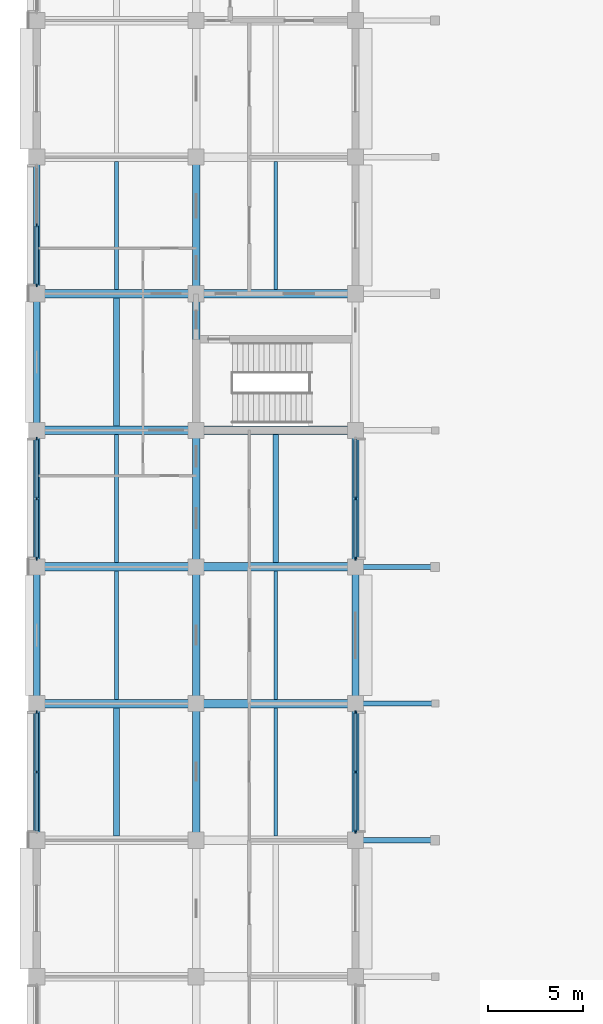
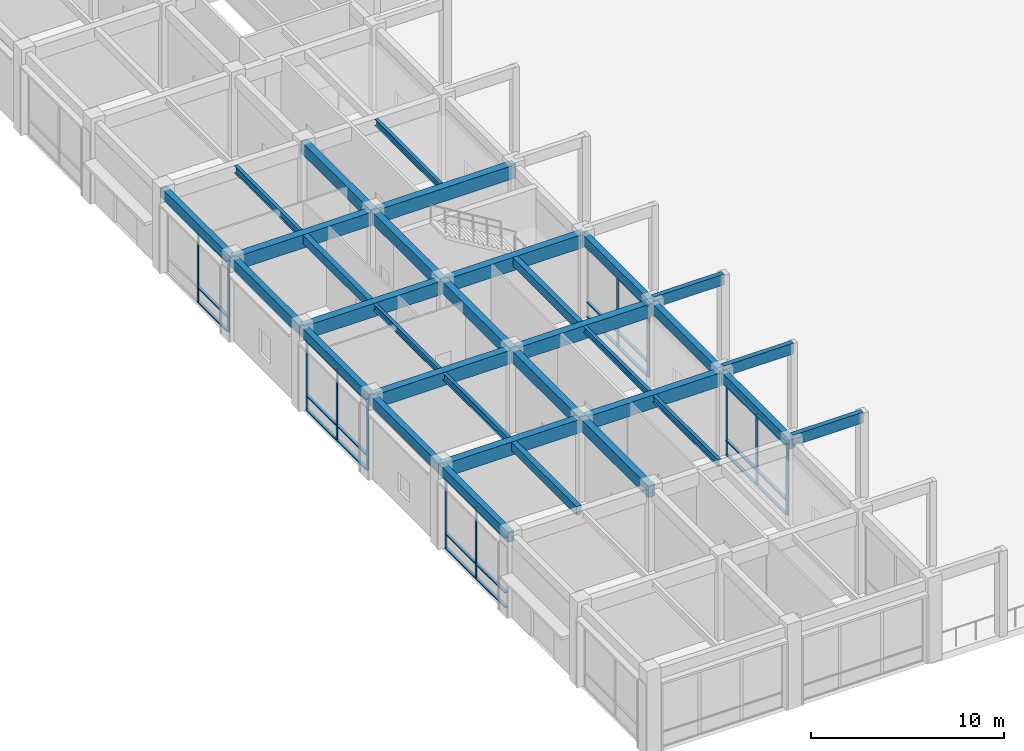
# One storey, part 9 of 73: 38 members, 33 beams, 5 elements without a shape of their own.
"""IFC4 building model written with IfcOpenShell, lengths in metres."""

from ifc_helpers import new_model, si_unit, direction, frame, origin, origin_2d, place, context, subcontext, project, spatial, rectangle, i_section, extrude, material, layer, layer_set, material_profile, profile_set, type_object, element, aggregate, save


model = new_model("IFC4")

# Units and contexts
model_context = context("Model", 3, precision=1e-05, world=origin(), true_north=direction((0.0, 1.0)))
body_context = subcontext(model_context, "Body", "Model", "MODEL_VIEW")
ifc_project = project(units=[si_unit("LENGTHUNIT", "METRE"), si_unit("AREAUNIT", "SQUARE_METRE"), si_unit("VOLUMEUNIT", "CUBIC_METRE"), si_unit("PLANEANGLEUNIT", "RADIAN"), si_unit("MASSUNIT", "GRAM", prefix="KILO")], contexts=[model_context])

# Site, building, storey
site_placement = place(None, origin())
site = spatial("IfcSite", under=ifc_project, at=site_placement, CompositionType="ELEMENT")
building_placement = place(site_placement, origin())
building = spatial("IfcBuilding", under=site, at=building_placement, Name="Chengyuan Square Courthouse", CompositionType="ELEMENT")
storey_placement = place(building_placement, origin())
storey = spatial("IfcBuildingStorey", under=building, at=storey_placement, Name="L01", CompositionType="ELEMENT", Elevation=0.0)

# Beams
ifc_material_1 = material(Name="Concrete C40", Category="concrete")
ifc_material_profile_1 = material_profile(ifc_material_1, rectangle(XDim=0.449951171875, YDim=0.85009765625, at=origin_2d()), Name="RC-BM-450x850")
ifc_profile_set_1 = profile_set([ifc_material_profile_1], Name="Concrete C40")
beam_type_1 = type_object("IfcBeamType", Name="BM-01", PredefinedType="USERDEFINED", material=ifc_profile_set_1)
beam_1_placement = place(storey_placement, frame((0.0, 21.60009765625, 4.695068359375), z_axis=(1.0, 0.0, 0.0), x_axis=(0.0, 1.0, 0.0)))
element("IfcBeam", 1, at=beam_1_placement, inside=storey, type_object=beam_type_1, Name="Girder BM-L01-1653", ObjectType="GIRDER", PredefinedType="USERDEFINED", context=body_context, shape_type="SweptSolid", body=[
    extrude(rectangle(XDim=0.449951171875, YDim=0.85009765625, at=origin_2d()), origin(), (0.0, 0.0, 1.0), 8.39990234375),
])
beam_2_placement = place(storey_placement, frame((8.39990234375, 21.60009765625, 4.695068359375), z_axis=(1.0, 0.0, 0.0), x_axis=(0.0, 1.0, 0.0)))
element("IfcBeam", 2, at=beam_2_placement, inside=storey, type_object=beam_type_1, Name="Girder BM-L01-1654", ObjectType="GIRDER", PredefinedType="USERDEFINED", context=body_context, shape_type="SweptSolid", body=[
    extrude(rectangle(XDim=0.449951171875, YDim=0.85009765625, at=origin_2d()), origin(), (0.0, 0.0, 1.0), 8.400146484375),
])
beam_3_placement = place(storey_placement, frame((0.0, 28.800048828125, 4.695068359375), z_axis=(1.0, 0.0, 0.0), x_axis=(0.0, 1.0, 0.0)))
element("IfcBeam", 3, at=beam_3_placement, inside=storey, type_object=beam_type_1, Name="Girder BM-L01-1657", ObjectType="GIRDER", PredefinedType="USERDEFINED", context=body_context, shape_type="SweptSolid", body=[
    extrude(rectangle(XDim=0.449951171875, YDim=0.85009765625, at=origin_2d()), origin(), (0.0, 0.0, 1.0), 8.39990234375),
])
beam_4_placement = place(storey_placement, frame((8.39990234375, 28.800048828125, 4.695068359375), z_axis=(1.0, 0.0, 0.0), x_axis=(0.0, 1.0, 0.0)))
element("IfcBeam", 4, at=beam_4_placement, inside=storey, type_object=beam_type_1, Name="Girder BM-L01-1658", ObjectType="GIRDER", PredefinedType="USERDEFINED", context=body_context, shape_type="SweptSolid", body=[
    extrude(rectangle(XDim=0.449951171875, YDim=0.85009765625, at=origin_2d()), origin(), (0.0, 0.0, 1.0), 8.400146484375),
])
beam_5_placement = place(storey_placement, frame((0.0, 36.0, 4.695068359375), z_axis=(1.0, 0.0, 0.0), x_axis=(0.0, 1.0, 0.0)))
element("IfcBeam", 5, at=beam_5_placement, inside=storey, type_object=beam_type_1, Name="Girder BM-L01-1661", ObjectType="GIRDER", PredefinedType="USERDEFINED", context=body_context, shape_type="SweptSolid", body=[
    extrude(rectangle(XDim=0.449951171875, YDim=0.85009765625, at=origin_2d()), origin(), (0.0, 0.0, 1.0), 8.39990234375),
])
beam_6_placement = place(storey_placement, frame((8.39990234375, 36.0, 4.695068359375), z_axis=(1.0, 0.0, 0.0), x_axis=(0.0, 1.0, 0.0)))
element("IfcBeam", 6, at=beam_6_placement, inside=storey, type_object=beam_type_1, Name="Girder BM-L01-1662", ObjectType="GIRDER", PredefinedType="USERDEFINED", context=body_context, shape_type="SweptSolid", body=[
    extrude(rectangle(XDim=0.449951171875, YDim=0.85009765625, at=origin_2d()), origin(), (0.0, 0.0, 1.0), 8.400146484375),
])
beam_7_placement = place(storey_placement, frame((0.0, 43.199951171875, 4.695068359375), z_axis=(1.0, 0.0, 0.0), x_axis=(0.0, 1.0, 0.0)))
element("IfcBeam", 7, at=beam_7_placement, inside=storey, type_object=beam_type_1, Name="Girder BM-L01-1665", ObjectType="GIRDER", PredefinedType="USERDEFINED", context=body_context, shape_type="SweptSolid", body=[
    extrude(rectangle(XDim=0.449951171875, YDim=0.85009765625, at=origin_2d()), origin(), (0.0, 0.0, 1.0), 8.39990234375),
])
beam_8_placement = place(storey_placement, frame((8.39990234375, 43.199951171875, 4.695068359375), z_axis=(1.0, 0.0, 0.0), x_axis=(0.0, 1.0, 0.0)))
element("IfcBeam", 8, at=beam_8_placement, inside=storey, type_object=beam_type_1, Name="Girder BM-L01-1666", ObjectType="GIRDER", PredefinedType="USERDEFINED", context=body_context, shape_type="SweptSolid", body=[
    extrude(rectangle(XDim=0.449951171875, YDim=0.85009765625, at=origin_2d()), origin(), (0.0, 0.0, 1.0), 8.400146484375),
])
ifc_material_profile_2 = material_profile(ifc_material_1, rectangle(XDim=0.39990234375, YDim=0.75, at=origin_2d()), Name="RC-BM-400x750")
ifc_profile_set_2 = profile_set([ifc_material_profile_2], Name="Concrete C40")
beam_type_2 = type_object("IfcBeamType", Name="BM-02", PredefinedType="USERDEFINED", material=ifc_profile_set_2)
beam_9_placement = place(storey_placement, frame((8.39990234375, 14.39990234375, 4.7451171875), z_axis=(0.0, 1.0, 0.0), x_axis=(-1.0, 0.0, 0.0)))
element("IfcBeam", 9, at=beam_9_placement, inside=storey, type_object=beam_type_2, Name="Girder BM-L01-1814", ObjectType="GIRDER", PredefinedType="USERDEFINED", context=body_context, shape_type="SweptSolid", body=[
    extrude(rectangle(XDim=0.39990234375, YDim=0.75, at=origin_2d()), origin(), (0.0, 0.0, 1.0), 7.2001953125),
])
for number, where, z_axis, x_axis, name in (
    (10, (8.39990234375, 21.60009765625, 4.7451171875), (0.0, 1.0, 0.0), (-1.0, 0.0, 0.0), "Girder BM-L01-1815"),
    (11, (8.39990234375, 28.800048828125, 4.7451171875), (0.0, 1.0, 0.0), (-1.0, 0.0, 0.0), "Girder BM-L01-1816"),
    (12, (8.39990234375, 36.0, 4.7451171875), (0.0, 1.0, 0.0), (-1.0, 0.0, 0.0), "Girder BM-L01-1817"),
    (13, (8.39990234375, 43.199951171875, 4.7451171875), (0.0, 1.0, 0.0), (-1.0, 0.0, 0.0), "Girder BM-L01-1818"),
):
    element("IfcBeam", number, at=place(storey_placement, frame(where, z_axis=z_axis, x_axis=x_axis)), inside=storey, type_object=beam_type_2, Name=name, ObjectType="GIRDER", PredefinedType="USERDEFINED", context=body_context, shape_type="SweptSolid", body=[
        extrude(rectangle(XDim=0.39990234375, YDim=0.75, at=origin_2d()), origin(), (0.0, 0.0, 1.0), 7.199951171875),
    ])
ifc_material_profile_3 = material_profile(ifc_material_1, rectangle(XDim=0.35009765625, YDim=0.64990234375, at=origin_2d()), Name="RC-BM-350x650")
ifc_profile_set_3 = profile_set([ifc_material_profile_3], Name="Concrete C40")
beam_type_3 = type_object("IfcBeamType", Name="BM-03", PredefinedType="SPANDREL", material=ifc_profile_set_3)
beam_10_placement = place(storey_placement, frame((0.0, 14.39990234375, 4.794921875), z_axis=(0.0, 1.0, 0.0), x_axis=(-1.0, 0.0, 0.0)))
element("IfcBeam", 14, at=beam_10_placement, inside=storey, type_object=beam_type_3, Name="Girder BM-L01-1799", PredefinedType="SPANDREL", context=body_context, shape_type="SweptSolid", body=[
    extrude(rectangle(XDim=0.35009765625, YDim=0.64990234375, at=origin_2d()), origin(), (0.0, 0.0, 1.0), 7.2001953125),
])
for number, where, z_axis, x_axis, name in (
    (15, (0.0, 21.60009765625, 4.794921875), (0.0, 1.0, 0.0), (-1.0, 0.0, 0.0), "Girder BM-L01-1800"),
    (16, (0.0, 28.800048828125, 4.794921875), (0.0, 1.0, 0.0), (-1.0, 0.0, 0.0), "Girder BM-L01-1801"),
    (17, (0.0, 36.0, 4.794921875), (0.0, 1.0, 0.0), (-1.0, 0.0, 0.0), "Girder BM-L01-1802"),
    (18, (0.0, 43.199951171875, 4.794921875), (0.0, 1.0, 0.0), (-1.0, 0.0, 0.0), "Girder BM-L01-1803"),
):
    element("IfcBeam", number, at=place(storey_placement, frame(where, z_axis=z_axis, x_axis=x_axis)), inside=storey, type_object=beam_type_3, Name=name, PredefinedType="SPANDREL", context=body_context, shape_type="SweptSolid", body=[
        extrude(rectangle(XDim=0.35009765625, YDim=0.64990234375, at=origin_2d()), origin(), (0.0, 0.0, 1.0), 7.199951171875),
    ])
beam_11_placement = place(storey_placement, frame((16.800048828125, 14.39990234375, 4.794921875), z_axis=(0.0, 1.0, 0.0), x_axis=(-1.0, 0.0, 0.0)))
element("IfcBeam", 19, at=beam_11_placement, inside=storey, type_object=beam_type_3, Name="Girder BM-L01-1829", PredefinedType="SPANDREL", context=body_context, shape_type="SweptSolid", body=[
    extrude(rectangle(XDim=0.35009765625, YDim=0.64990234375, at=origin_2d()), origin(), (0.0, 0.0, 1.0), 7.2001953125),
])
for number, where, z_axis, x_axis, name in (
    (20, (16.800048828125, 21.60009765625, 4.794921875), (0.0, 1.0, 0.0), (-1.0, 0.0, 0.0), "Girder BM-L01-1830"),
    (21, (16.800048828125, 28.800048828125, 4.794921875), (0.0, 1.0, 0.0), (-1.0, 0.0, 0.0), "Girder BM-L01-1831"),
):
    element("IfcBeam", number, at=place(storey_placement, frame(where, z_axis=z_axis, x_axis=x_axis)), inside=storey, type_object=beam_type_3, Name=name, PredefinedType="SPANDREL", context=body_context, shape_type="SweptSolid", body=[
        extrude(rectangle(XDim=0.35009765625, YDim=0.64990234375, at=origin_2d()), origin(), (0.0, 0.0, 1.0), 7.199951171875),
    ])
ifc_material_profile_4 = material_profile(ifc_material_1, rectangle(XDim=0.300048828125, YDim=0.550048828125, at=origin_2d()), Name="RC-BM-300x550")
ifc_profile_set_4 = profile_set([ifc_material_profile_4], Name="Concrete C40")
beam_type_4 = type_object("IfcBeamType", Name="BM-04", PredefinedType="BEAM", material=ifc_profile_set_4)
for number, where, z_axis, x_axis, name in (
    (22, (4.199951171875, 14.625, 4.844970703125), (0.0, 1.0, 0.0), (-1.0, 0.0, 0.0), "Secondary Floor Beam SBM-L01-1959"),
    (23, (4.199951171875, 36.22509765625, 4.844970703125), (0.0, 1.0, 0.0), (-1.0, 0.0, 0.0), "Secondary Floor Beam SBM-L01-1962"),
    (24, (12.60009765625, 29.02490234375, 4.844970703125), (0.0, 1.0, 0.0), (-1.0, 0.0, 0.0), "Secondary Floor Beam SBM-L01-1976"),
):
    element("IfcBeam", number, at=place(storey_placement, frame(where, z_axis=z_axis, x_axis=x_axis)), inside=storey, type_object=beam_type_4, Name=name, PredefinedType="BEAM", context=body_context, shape_type="SweptSolid", body=[
        extrude(rectangle(XDim=0.300048828125, YDim=0.550048828125, at=origin_2d()), origin(), (0.0, 0.0, 1.0), 6.75),
    ])
ifc_material_2 = material(Name="Steel Q355B", Category="steel")
ifc_material_profile_5 = material_profile(ifc_material_2, i_section(OverallWidth=0.199951171875, OverallDepth=0.449951171875, WebThickness=0.009033203125, FlangeThickness=0.013916015625, at=origin_2d()), Name="HN 450x200x9x14")
ifc_profile_set_5 = profile_set([ifc_material_profile_5], Name="Steel Q355B")
beam_type_5 = type_object("IfcBeamType", Name="BM-06", PredefinedType="BEAM", material=ifc_profile_set_5)
for number, where, z_axis, x_axis, name in (
    (25, (4.199951171875, 21.824951171875, 4.89501953125), (0.0, 1.0, 0.0), (-1.0, 0.0, 0.0), "Secondary Floor Beam SBM-L01-1960"),
    (26, (4.199951171875, 43.425048828125, 4.89501953125), (0.0, 1.0, 0.0), (-1.0, 0.0, 0.0), "Secondary Floor Beam SBM-L01-1963"),
    (27, (12.60009765625, 14.625, 4.89501953125), (0.0, 1.0, 0.0), (-1.0, 0.0, 0.0), "Secondary Floor Beam SBM-L01-1974"),
):
    element("IfcBeam", number, at=place(storey_placement, frame(where, z_axis=z_axis, x_axis=x_axis)), inside=storey, type_object=beam_type_5, Name=name, PredefinedType="BEAM", context=body_context, shape_type="SweptSolid", body=[
        extrude(i_section(OverallWidth=0.199951171875, OverallDepth=0.449951171875, WebThickness=0.009033203125, FlangeThickness=0.013916015625, at=origin_2d()), origin(), (0.0, 0.0, 1.0), 6.75),
    ])
ifc_material_profile_6 = material_profile(ifc_material_2, i_section(OverallWidth=0.199951171875, OverallDepth=0.39990234375, WebThickness=0.008056640625, FlangeThickness=0.012939453125, at=origin_2d()), Name="HN 400x200x8x13")
ifc_profile_set_6 = profile_set([ifc_material_profile_6], Name="Steel Q355B")
beam_type_6 = type_object("IfcBeamType", Name="BM-07", PredefinedType="BEAM", material=ifc_profile_set_6)
for number, where, z_axis, x_axis, name in (
    (28, (4.199951171875, 29.02490234375, 4.919921875), (0.0, 1.0, 0.0), (-1.0, 0.0, 0.0), "Secondary Floor Beam SBM-L01-1961"),
    (29, (12.60009765625, 21.824951171875, 4.919921875), (0.0, 1.0, 0.0), (-1.0, 0.0, 0.0), "Secondary Floor Beam SBM-L01-1975"),
    (30, (12.60009765625, 43.425048828125, 4.919921875), (0.0, 1.0, 0.0), (-1.0, 0.0, 0.0), "Secondary Floor Beam SBM-L01-1977"),
):
    element("IfcBeam", number, at=place(storey_placement, frame(where, z_axis=z_axis, x_axis=x_axis)), inside=storey, type_object=beam_type_6, Name=name, PredefinedType="BEAM", context=body_context, shape_type="SweptSolid", body=[
        extrude(i_section(OverallWidth=0.199951171875, OverallDepth=0.39990234375, WebThickness=0.008056640625, FlangeThickness=0.012939453125, at=origin_2d()), origin(), (0.0, 0.0, 1.0), 6.75),
    ])

# Curtain wall, members
ifc_material_3 = material(Name="Unitised Aluminium and Triple Low-E Glass", Category="aluminium")
ifc_layer = layer(ifc_material_3, 0.179931640625)
ifc_layer_set = layer_set([ifc_layer], Name="Unitised Aluminium and Triple Low-E Glass")
curtain_wall_type = type_object("IfcCurtainWallType", Name="CW-14", PredefinedType="USERDEFINED", material=ifc_layer_set)
curtain_wall_1_placement = place(storey_placement, origin())
curtain_wall_1 = element("IfcCurtainWall", 31, at=curtain_wall_1_placement, inside=storey, type_object=curtain_wall_type, Name="Unitised Curtain Wall CW-L01-003", ObjectType="UNITISED CURTAIN WALL", PredefinedType="USERDEFINED")
ifc_material_4 = material(Name="Aluminium 6063-T6 Frame", Category="aluminium")
ifc_material_profile_7 = material_profile(ifc_material_4, rectangle(XDim=0.06494140625, YDim=0.179931640625, at=origin_2d()), Name="CW-MUL-65x180")
ifc_profile_set_7 = profile_set([ifc_material_profile_7], Name="Aluminium 6063-T6 Frame")
member_type_1 = type_object("IfcMemberType", Name="CWM-02", PredefinedType="MULLION", material=ifc_profile_set_7)
member_1_placement = place(storey_placement, frame((0.0, 18.0, 0.0), z_axis=(0.0, 0.0, 1.0), x_axis=(-1.0, 0.0, 0.0)))
member_1 = element("IfcMember", 32, at=member_1_placement, type_object=member_type_1, Name="CW-14 mullion 2", PredefinedType="MULLION", context=body_context, shape_type="SweptSolid", body=[
    extrude(rectangle(XDim=0.06494140625, YDim=0.179931640625, at=origin_2d()), origin(), (0.0, 0.0, 1.0), 4.469970703125),
])
member_2_placement = place(storey_placement, frame((0.0, 21.142578125, 0.0), z_axis=(0.0, 0.0, 1.0), x_axis=(-1.0, 0.0, 0.0)))
member_2 = element("IfcMember", 33, at=member_2_placement, type_object=member_type_1, Name="CW-14 mullion 3", PredefinedType="MULLION", context=body_context, shape_type="SweptSolid", body=[
    extrude(rectangle(XDim=0.06494140625, YDim=0.179931640625, at=origin_2d()), origin(), (0.0, 0.0, 1.0), 4.469970703125),
])

curtain_wall_2_placement = place(storey_placement, origin())
curtain_wall_2 = element("IfcCurtainWall", 34, at=curtain_wall_2_placement, inside=storey, type_object=curtain_wall_type, Name="Unitised Curtain Wall CW-L01-004", ObjectType="UNITISED CURTAIN WALL", PredefinedType="USERDEFINED")
member_3_placement = place(storey_placement, frame((0.0, 29.257568359375, 0.0), z_axis=(0.0, 0.0, 1.0), x_axis=(-1.0, 0.0, 0.0)))
member_3 = element("IfcMember", 35, at=member_3_placement, type_object=member_type_1, Name="CW-14 mullion 1", PredefinedType="MULLION", context=body_context, shape_type="SweptSolid", body=[
    extrude(rectangle(XDim=0.06494140625, YDim=0.179931640625, at=origin_2d()), origin(), (0.0, 0.0, 1.0), 4.469970703125),
])
member_4_placement = place(storey_placement, frame((0.0, 32.39990234375, 0.0), z_axis=(0.0, 0.0, 1.0), x_axis=(-1.0, 0.0, 0.0)))
member_4 = element("IfcMember", 36, at=member_4_placement, type_object=member_type_1, Name="CW-14 mullion 2", PredefinedType="MULLION", context=body_context, shape_type="SweptSolid", body=[
    extrude(rectangle(XDim=0.06494140625, YDim=0.179931640625, at=origin_2d()), origin(), (0.0, 0.0, 1.0), 4.469970703125),
])
member_5_placement = place(storey_placement, frame((0.0, 35.54248046875, 0.0), z_axis=(0.0, 0.0, 1.0), x_axis=(-1.0, 0.0, 0.0)))
member_5 = element("IfcMember", 37, at=member_5_placement, type_object=member_type_1, Name="CW-14 mullion 3", PredefinedType="MULLION", context=body_context, shape_type="SweptSolid", body=[
    extrude(rectangle(XDim=0.06494140625, YDim=0.179931640625, at=origin_2d()), origin(), (0.0, 0.0, 1.0), 4.469970703125),
])

curtain_wall_3_placement = place(storey_placement, origin())
curtain_wall_3 = element("IfcCurtainWall", 38, at=curtain_wall_3_placement, inside=storey, type_object=curtain_wall_type, Name="Unitised Curtain Wall CW-L01-005", ObjectType="UNITISED CURTAIN WALL", PredefinedType="USERDEFINED")
member_6_placement = place(storey_placement, frame((0.0, 43.657470703125, 0.0), z_axis=(0.0, 0.0, 1.0), x_axis=(-1.0, 0.0, 0.0)))
member_6 = element("IfcMember", 39, at=member_6_placement, type_object=member_type_1, Name="CW-14 mullion 1", PredefinedType="MULLION", context=body_context, shape_type="SweptSolid", body=[
    extrude(rectangle(XDim=0.06494140625, YDim=0.179931640625, at=origin_2d()), origin(), (0.0, 0.0, 1.0), 4.469970703125),
])
member_7_placement = place(storey_placement, frame((0.0, 46.800048828125, 0.0), z_axis=(0.0, 0.0, 1.0), x_axis=(-1.0, 0.0, 0.0)))
member_7 = element("IfcMember", 40, at=member_7_placement, type_object=member_type_1, Name="CW-14 mullion 2", PredefinedType="MULLION", context=body_context, shape_type="SweptSolid", body=[
    extrude(rectangle(XDim=0.06494140625, YDim=0.179931640625, at=origin_2d()), origin(), (0.0, 0.0, 1.0), 4.469970703125),
])

curtain_wall_4_placement = place(storey_placement, origin())
curtain_wall_4 = element("IfcCurtainWall", 41, at=curtain_wall_4_placement, inside=storey, type_object=curtain_wall_type, Name="Unitised Curtain Wall CW-L01-012", ObjectType="UNITISED CURTAIN WALL", PredefinedType="USERDEFINED")
member_8_placement = place(storey_placement, frame((16.800048828125, 14.857421875, 0.0), z_axis=(0.0, 0.0, 1.0), x_axis=(-1.0, 0.0, 0.0)))
member_8 = element("IfcMember", 42, at=member_8_placement, type_object=member_type_1, Name="CW-14 mullion 1", PredefinedType="MULLION", context=body_context, shape_type="SweptSolid", body=[
    extrude(rectangle(XDim=0.06494140625, YDim=0.179931640625, at=origin_2d()), origin(), (0.0, 0.0, 1.0), 4.469970703125),
])
member_9_placement = place(storey_placement, frame((16.800048828125, 18.0, 0.0), z_axis=(0.0, 0.0, 1.0), x_axis=(-1.0, 0.0, 0.0)))
member_9 = element("IfcMember", 43, at=member_9_placement, type_object=member_type_1, Name="CW-14 mullion 2", PredefinedType="MULLION", context=body_context, shape_type="SweptSolid", body=[
    extrude(rectangle(XDim=0.06494140625, YDim=0.179931640625, at=origin_2d()), origin(), (0.0, 0.0, 1.0), 4.469970703125),
])
member_10_placement = place(storey_placement, frame((16.800048828125, 21.142578125, 0.0), z_axis=(0.0, 0.0, 1.0), x_axis=(-1.0, 0.0, 0.0)))
member_10 = element("IfcMember", 44, at=member_10_placement, type_object=member_type_1, Name="CW-14 mullion 3", PredefinedType="MULLION", context=body_context, shape_type="SweptSolid", body=[
    extrude(rectangle(XDim=0.06494140625, YDim=0.179931640625, at=origin_2d()), origin(), (0.0, 0.0, 1.0), 4.469970703125),
])

curtain_wall_5_placement = place(storey_placement, origin())
curtain_wall_5 = element("IfcCurtainWall", 45, at=curtain_wall_5_placement, inside=storey, type_object=curtain_wall_type, Name="Unitised Curtain Wall CW-L01-013", ObjectType="UNITISED CURTAIN WALL", PredefinedType="USERDEFINED")
member_11_placement = place(storey_placement, frame((16.800048828125, 29.257568359375, 0.0), z_axis=(0.0, 0.0, 1.0), x_axis=(-1.0, 0.0, 0.0)))
member_11 = element("IfcMember", 46, at=member_11_placement, type_object=member_type_1, Name="CW-14 mullion 1", PredefinedType="MULLION", context=body_context, shape_type="SweptSolid", body=[
    extrude(rectangle(XDim=0.06494140625, YDim=0.179931640625, at=origin_2d()), origin(), (0.0, 0.0, 1.0), 4.469970703125),
])
member_12_placement = place(storey_placement, frame((16.800048828125, 32.39990234375, 0.0), z_axis=(0.0, 0.0, 1.0), x_axis=(-1.0, 0.0, 0.0)))
member_12 = element("IfcMember", 47, at=member_12_placement, type_object=member_type_1, Name="CW-14 mullion 2", PredefinedType="MULLION", context=body_context, shape_type="SweptSolid", body=[
    extrude(rectangle(XDim=0.06494140625, YDim=0.179931640625, at=origin_2d()), origin(), (0.0, 0.0, 1.0), 4.469970703125),
])

# Member
ifc_material_profile_8 = material_profile(ifc_material_4, rectangle(XDim=0.179931640625, YDim=0.06494140625, at=origin_2d()), Name="CW-TRN-65x140")
ifc_profile_set_8 = profile_set([ifc_material_profile_8], Name="Aluminium 6063-T6 Frame")
member_type_2 = type_object("IfcMemberType", Name="CWT-02", PredefinedType="USERDEFINED", material=ifc_profile_set_8)
member_13_placement = place(storey_placement, frame((0.0, 14.889892578125, 0.032470703125), z_axis=(0.0, 1.0, 0.0), x_axis=(-1.0, 0.0, 0.0)))
member_13 = element("IfcMember", 48, at=member_13_placement, type_object=member_type_2, Name="CW-14 transom 1.1", ObjectType="TRANSOM", PredefinedType="USERDEFINED", context=body_context, shape_type="SweptSolid", body=[
    extrude(rectangle(XDim=0.179931640625, YDim=0.06494140625, at=origin_2d()), origin(), (0.0, 0.0, 1.0), 3.07763671875),
])

member_14_placement = place(storey_placement, frame((0.0, 14.889892578125, 0.949951171875), z_axis=(0.0, 1.0, 0.0), x_axis=(-1.0, 0.0, 0.0)))
member_14 = element("IfcMember", 49, at=member_14_placement, type_object=member_type_2, Name="CW-14 transom 1.2", ObjectType="TRANSOM", PredefinedType="USERDEFINED", context=body_context, shape_type="SweptSolid", body=[
    extrude(rectangle(XDim=0.179931640625, YDim=0.06494140625, at=origin_2d()), origin(), (0.0, 0.0, 1.0), 3.07763671875),
])

member_15_placement = place(storey_placement, frame((0.0, 14.889892578125, 4.4375), z_axis=(0.0, 1.0, 0.0), x_axis=(-1.0, 0.0, 0.0)))
member_15 = element("IfcMember", 50, at=member_15_placement, type_object=member_type_2, Name="CW-14 transom 1.3", ObjectType="TRANSOM", PredefinedType="USERDEFINED", context=body_context, shape_type="SweptSolid", body=[
    extrude(rectangle(XDim=0.179931640625, YDim=0.06494140625, at=origin_2d()), origin(), (0.0, 0.0, 1.0), 3.07763671875),
])

member_16_placement = place(storey_placement, frame((0.0, 18.032470703125, 0.032470703125), z_axis=(0.0, 1.0, 0.0), x_axis=(-1.0, 0.0, 0.0)))
member_16 = element("IfcMember", 51, at=member_16_placement, type_object=member_type_2, Name="CW-14 transom 2.1", ObjectType="TRANSOM", PredefinedType="USERDEFINED", context=body_context, shape_type="SweptSolid", body=[
    extrude(rectangle(XDim=0.179931640625, YDim=0.06494140625, at=origin_2d()), origin(), (0.0, 0.0, 1.0), 3.07763671875),
])

member_17_placement = place(storey_placement, frame((0.0, 18.032470703125, 0.949951171875), z_axis=(0.0, 1.0, 0.0), x_axis=(-1.0, 0.0, 0.0)))
member_17 = element("IfcMember", 52, at=member_17_placement, type_object=member_type_2, Name="CW-14 transom 2.2", ObjectType="TRANSOM", PredefinedType="USERDEFINED", context=body_context, shape_type="SweptSolid", body=[
    extrude(rectangle(XDim=0.179931640625, YDim=0.06494140625, at=origin_2d()), origin(), (0.0, 0.0, 1.0), 3.07763671875),
])

member_18_placement = place(storey_placement, frame((0.0, 18.032470703125, 4.4375), z_axis=(0.0, 1.0, 0.0), x_axis=(-1.0, 0.0, 0.0)))
member_18 = element("IfcMember", 53, at=member_18_placement, type_object=member_type_2, Name="CW-14 transom 2.3", ObjectType="TRANSOM", PredefinedType="USERDEFINED", context=body_context, shape_type="SweptSolid", body=[
    extrude(rectangle(XDim=0.179931640625, YDim=0.06494140625, at=origin_2d()), origin(), (0.0, 0.0, 1.0), 3.07763671875),
])

aggregate(curtain_wall_1, [member_1, member_2, member_13, member_14, member_15, member_16, member_17, member_18])

member_19_placement = place(storey_placement, frame((0.0, 29.2900390625, 0.032470703125), z_axis=(0.0, 1.0, 0.0), x_axis=(-1.0, 0.0, 0.0)))
member_19 = element("IfcMember", 54, at=member_19_placement, type_object=member_type_2, Name="CW-14 transom 1.1", ObjectType="TRANSOM", PredefinedType="USERDEFINED", context=body_context, shape_type="SweptSolid", body=[
    extrude(rectangle(XDim=0.179931640625, YDim=0.06494140625, at=origin_2d()), origin(), (0.0, 0.0, 1.0), 3.077392578125),
])

member_20_placement = place(storey_placement, frame((0.0, 29.2900390625, 0.949951171875), z_axis=(0.0, 1.0, 0.0), x_axis=(-1.0, 0.0, 0.0)))
member_20 = element("IfcMember", 55, at=member_20_placement, type_object=member_type_2, Name="CW-14 transom 1.2", ObjectType="TRANSOM", PredefinedType="USERDEFINED", context=body_context, shape_type="SweptSolid", body=[
    extrude(rectangle(XDim=0.179931640625, YDim=0.06494140625, at=origin_2d()), origin(), (0.0, 0.0, 1.0), 3.077392578125),
])

member_21_placement = place(storey_placement, frame((0.0, 29.2900390625, 4.4375), z_axis=(0.0, 1.0, 0.0), x_axis=(-1.0, 0.0, 0.0)))
member_21 = element("IfcMember", 56, at=member_21_placement, type_object=member_type_2, Name="CW-14 transom 1.3", ObjectType="TRANSOM", PredefinedType="USERDEFINED", context=body_context, shape_type="SweptSolid", body=[
    extrude(rectangle(XDim=0.179931640625, YDim=0.06494140625, at=origin_2d()), origin(), (0.0, 0.0, 1.0), 3.077392578125),
])

member_22_placement = place(storey_placement, frame((0.0, 32.4326171875, 0.032470703125), z_axis=(0.0, 1.0, 0.0), x_axis=(-1.0, 0.0, 0.0)))
member_22 = element("IfcMember", 57, at=member_22_placement, type_object=member_type_2, Name="CW-14 transom 2.1", ObjectType="TRANSOM", PredefinedType="USERDEFINED", context=body_context, shape_type="SweptSolid", body=[
    extrude(rectangle(XDim=0.179931640625, YDim=0.06494140625, at=origin_2d()), origin(), (0.0, 0.0, 1.0), 3.077392578125),
])

member_23_placement = place(storey_placement, frame((0.0, 32.4326171875, 0.949951171875), z_axis=(0.0, 1.0, 0.0), x_axis=(-1.0, 0.0, 0.0)))
member_23 = element("IfcMember", 58, at=member_23_placement, type_object=member_type_2, Name="CW-14 transom 2.2", ObjectType="TRANSOM", PredefinedType="USERDEFINED", context=body_context, shape_type="SweptSolid", body=[
    extrude(rectangle(XDim=0.179931640625, YDim=0.06494140625, at=origin_2d()), origin(), (0.0, 0.0, 1.0), 3.077392578125),
])

member_24_placement = place(storey_placement, frame((0.0, 32.4326171875, 4.4375), z_axis=(0.0, 1.0, 0.0), x_axis=(-1.0, 0.0, 0.0)))
member_24 = element("IfcMember", 59, at=member_24_placement, type_object=member_type_2, Name="CW-14 transom 2.3", ObjectType="TRANSOM", PredefinedType="USERDEFINED", context=body_context, shape_type="SweptSolid", body=[
    extrude(rectangle(XDim=0.179931640625, YDim=0.06494140625, at=origin_2d()), origin(), (0.0, 0.0, 1.0), 3.077392578125),
])

aggregate(curtain_wall_2, [member_3, member_4, member_5, member_19, member_20, member_21, member_22, member_23, member_24])

member_25_placement = place(storey_placement, frame((0.0, 43.68994140625, 0.032470703125), z_axis=(0.0, 1.0, 0.0), x_axis=(-1.0, 0.0, 0.0)))
member_25 = element("IfcMember", 60, at=member_25_placement, type_object=member_type_2, Name="CW-14 transom 1.1", ObjectType="TRANSOM", PredefinedType="USERDEFINED", context=body_context, shape_type="SweptSolid", body=[
    extrude(rectangle(XDim=0.179931640625, YDim=0.06494140625, at=origin_2d()), origin(), (0.0, 0.0, 1.0), 3.07763671875),
])

member_26_placement = place(storey_placement, frame((0.0, 43.68994140625, 0.949951171875), z_axis=(0.0, 1.0, 0.0), x_axis=(-1.0, 0.0, 0.0)))
member_26 = element("IfcMember", 61, at=member_26_placement, type_object=member_type_2, Name="CW-14 transom 1.2", ObjectType="TRANSOM", PredefinedType="USERDEFINED", context=body_context, shape_type="SweptSolid", body=[
    extrude(rectangle(XDim=0.179931640625, YDim=0.06494140625, at=origin_2d()), origin(), (0.0, 0.0, 1.0), 3.07763671875),
])

member_27_placement = place(storey_placement, frame((0.0, 43.68994140625, 4.4375), z_axis=(0.0, 1.0, 0.0), x_axis=(-1.0, 0.0, 0.0)))
member_27 = element("IfcMember", 62, at=member_27_placement, type_object=member_type_2, Name="CW-14 transom 1.3", ObjectType="TRANSOM", PredefinedType="USERDEFINED", context=body_context, shape_type="SweptSolid", body=[
    extrude(rectangle(XDim=0.179931640625, YDim=0.06494140625, at=origin_2d()), origin(), (0.0, 0.0, 1.0), 3.07763671875),
])

aggregate(curtain_wall_3, [member_6, member_7, member_25, member_26, member_27])

member_28_placement = place(storey_placement, frame((16.800048828125, 14.889892578125, 0.032470703125), z_axis=(0.0, 1.0, 0.0), x_axis=(-1.0, 0.0, 0.0)))
member_28 = element("IfcMember", 63, at=member_28_placement, type_object=member_type_2, Name="CW-14 transom 1.1", ObjectType="TRANSOM", PredefinedType="USERDEFINED", context=body_context, shape_type="SweptSolid", body=[
    extrude(rectangle(XDim=0.179931640625, YDim=0.06494140625, at=origin_2d()), origin(), (0.0, 0.0, 1.0), 3.07763671875),
])

member_29_placement = place(storey_placement, frame((16.800048828125, 14.889892578125, 0.949951171875), z_axis=(0.0, 1.0, 0.0), x_axis=(-1.0, 0.0, 0.0)))
member_29 = element("IfcMember", 64, at=member_29_placement, type_object=member_type_2, Name="CW-14 transom 1.2", ObjectType="TRANSOM", PredefinedType="USERDEFINED", context=body_context, shape_type="SweptSolid", body=[
    extrude(rectangle(XDim=0.179931640625, YDim=0.06494140625, at=origin_2d()), origin(), (0.0, 0.0, 1.0), 3.07763671875),
])

member_30_placement = place(storey_placement, frame((16.800048828125, 14.889892578125, 4.4375), z_axis=(0.0, 1.0, 0.0), x_axis=(-1.0, 0.0, 0.0)))
member_30 = element("IfcMember", 65, at=member_30_placement, type_object=member_type_2, Name="CW-14 transom 1.3", ObjectType="TRANSOM", PredefinedType="USERDEFINED", context=body_context, shape_type="SweptSolid", body=[
    extrude(rectangle(XDim=0.179931640625, YDim=0.06494140625, at=origin_2d()), origin(), (0.0, 0.0, 1.0), 3.07763671875),
])

member_31_placement = place(storey_placement, frame((16.800048828125, 18.032470703125, 0.032470703125), z_axis=(0.0, 1.0, 0.0), x_axis=(-1.0, 0.0, 0.0)))
member_31 = element("IfcMember", 66, at=member_31_placement, type_object=member_type_2, Name="CW-14 transom 2.1", ObjectType="TRANSOM", PredefinedType="USERDEFINED", context=body_context, shape_type="SweptSolid", body=[
    extrude(rectangle(XDim=0.179931640625, YDim=0.06494140625, at=origin_2d()), origin(), (0.0, 0.0, 1.0), 3.07763671875),
])

member_32_placement = place(storey_placement, frame((16.800048828125, 18.032470703125, 0.949951171875), z_axis=(0.0, 1.0, 0.0), x_axis=(-1.0, 0.0, 0.0)))
member_32 = element("IfcMember", 67, at=member_32_placement, type_object=member_type_2, Name="CW-14 transom 2.2", ObjectType="TRANSOM", PredefinedType="USERDEFINED", context=body_context, shape_type="SweptSolid", body=[
    extrude(rectangle(XDim=0.179931640625, YDim=0.06494140625, at=origin_2d()), origin(), (0.0, 0.0, 1.0), 3.07763671875),
])

member_33_placement = place(storey_placement, frame((16.800048828125, 18.032470703125, 4.4375), z_axis=(0.0, 1.0, 0.0), x_axis=(-1.0, 0.0, 0.0)))
member_33 = element("IfcMember", 68, at=member_33_placement, type_object=member_type_2, Name="CW-14 transom 2.3", ObjectType="TRANSOM", PredefinedType="USERDEFINED", context=body_context, shape_type="SweptSolid", body=[
    extrude(rectangle(XDim=0.179931640625, YDim=0.06494140625, at=origin_2d()), origin(), (0.0, 0.0, 1.0), 3.07763671875),
])

aggregate(curtain_wall_4, [member_8, member_9, member_10, member_28, member_29, member_30, member_31, member_32, member_33])

member_34_placement = place(storey_placement, frame((16.800048828125, 29.2900390625, 0.032470703125), z_axis=(0.0, 1.0, 0.0), x_axis=(-1.0, 0.0, 0.0)))
member_34 = element("IfcMember", 69, at=member_34_placement, type_object=member_type_2, Name="CW-14 transom 1.1", ObjectType="TRANSOM", PredefinedType="USERDEFINED", context=body_context, shape_type="SweptSolid", body=[
    extrude(rectangle(XDim=0.179931640625, YDim=0.06494140625, at=origin_2d()), origin(), (0.0, 0.0, 1.0), 3.077392578125),
])

member_35_placement = place(storey_placement, frame((16.800048828125, 29.2900390625, 0.949951171875), z_axis=(0.0, 1.0, 0.0), x_axis=(-1.0, 0.0, 0.0)))
member_35 = element("IfcMember", 70, at=member_35_placement, type_object=member_type_2, Name="CW-14 transom 1.2", ObjectType="TRANSOM", PredefinedType="USERDEFINED", context=body_context, shape_type="SweptSolid", body=[
    extrude(rectangle(XDim=0.179931640625, YDim=0.06494140625, at=origin_2d()), origin(), (0.0, 0.0, 1.0), 3.077392578125),
])

member_36_placement = place(storey_placement, frame((16.800048828125, 29.2900390625, 4.4375), z_axis=(0.0, 1.0, 0.0), x_axis=(-1.0, 0.0, 0.0)))
member_36 = element("IfcMember", 71, at=member_36_placement, type_object=member_type_2, Name="CW-14 transom 1.3", ObjectType="TRANSOM", PredefinedType="USERDEFINED", context=body_context, shape_type="SweptSolid", body=[
    extrude(rectangle(XDim=0.179931640625, YDim=0.06494140625, at=origin_2d()), origin(), (0.0, 0.0, 1.0), 3.077392578125),
])

member_37_placement = place(storey_placement, frame((16.800048828125, 32.4326171875, 0.032470703125), z_axis=(0.0, 1.0, 0.0), x_axis=(-1.0, 0.0, 0.0)))
member_37 = element("IfcMember", 72, at=member_37_placement, type_object=member_type_2, Name="CW-14 transom 2.1", ObjectType="TRANSOM", PredefinedType="USERDEFINED", context=body_context, shape_type="SweptSolid", body=[
    extrude(rectangle(XDim=0.179931640625, YDim=0.06494140625, at=origin_2d()), origin(), (0.0, 0.0, 1.0), 3.077392578125),
])

member_38_placement = place(storey_placement, frame((16.800048828125, 32.4326171875, 0.949951171875), z_axis=(0.0, 1.0, 0.0), x_axis=(-1.0, 0.0, 0.0)))
member_38 = element("IfcMember", 73, at=member_38_placement, type_object=member_type_2, Name="CW-14 transom 2.2", ObjectType="TRANSOM", PredefinedType="USERDEFINED", context=body_context, shape_type="SweptSolid", body=[
    extrude(rectangle(XDim=0.179931640625, YDim=0.06494140625, at=origin_2d()), origin(), (0.0, 0.0, 1.0), 3.077392578125),
])

aggregate(curtain_wall_5, [member_11, member_12, member_34, member_35, member_36, member_37, member_38])

# Beams
ifc_material_5 = material(Name="Glulam TCt28", Category="wood")
ifc_material_profile_9 = material_profile(ifc_material_5, rectangle(XDim=0.280029296875, YDim=0.679931640625, at=origin_2d()), Name="GL-BM-280x680")
ifc_profile_set_9 = profile_set([ifc_material_profile_9], Name="Glulam TCt28")
beam_type_7 = type_object("IfcBeamType", Name="GLB-01", PredefinedType="BEAM", material=ifc_profile_set_9)
for number, where, z_axis, x_axis, name in (
    (74, (16.800048828125, 14.39990234375, 5.06005859375), (1.0, 0.0, 0.0), (0.0, 1.0, 0.0), "Glulam Colonnade Portal Beam GLB-L01-005"),
    (75, (16.800048828125, 21.60009765625, 5.06005859375), (1.0, 0.0, 0.0), (0.0, 1.0, 0.0), "Glulam Colonnade Portal Beam GLB-L01-007"),
    (76, (16.800048828125, 28.800048828125, 5.06005859375), (1.0, 0.0, 0.0), (0.0, 1.0, 0.0), "Glulam Colonnade Portal Beam GLB-L01-009"),
):
    element("IfcBeam", number, at=place(storey_placement, frame(where, z_axis=z_axis, x_axis=x_axis)), inside=storey, type_object=beam_type_7, Name=name, PredefinedType="BEAM", context=body_context, shape_type="SweptSolid", body=[
        extrude(rectangle(XDim=0.280029296875, YDim=0.679931640625, at=origin_2d()), origin(), (0.0, 0.0, 1.0), 4.199951171875),
    ])

save(model, "model.ifc")
